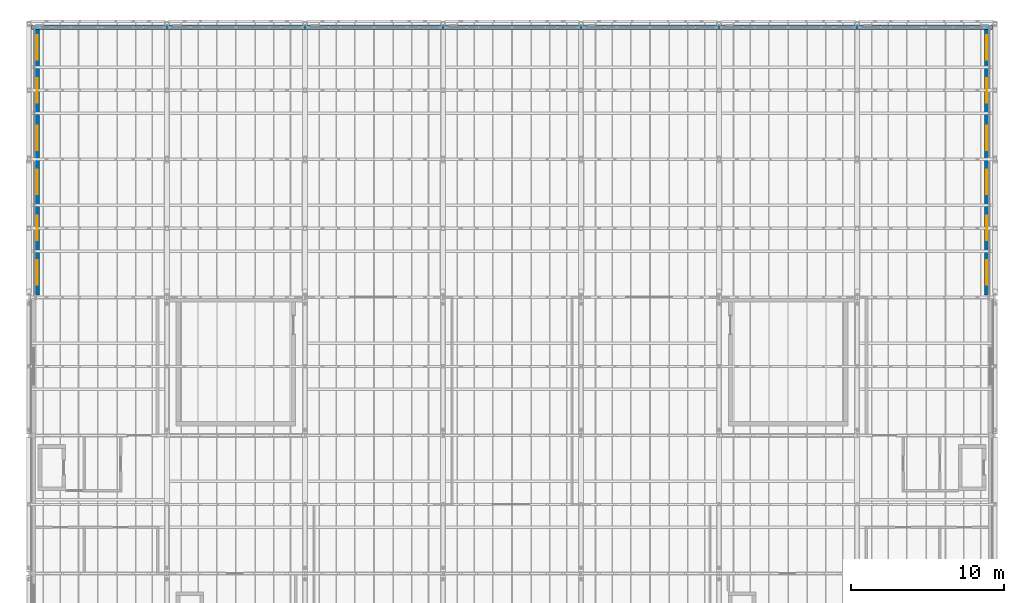
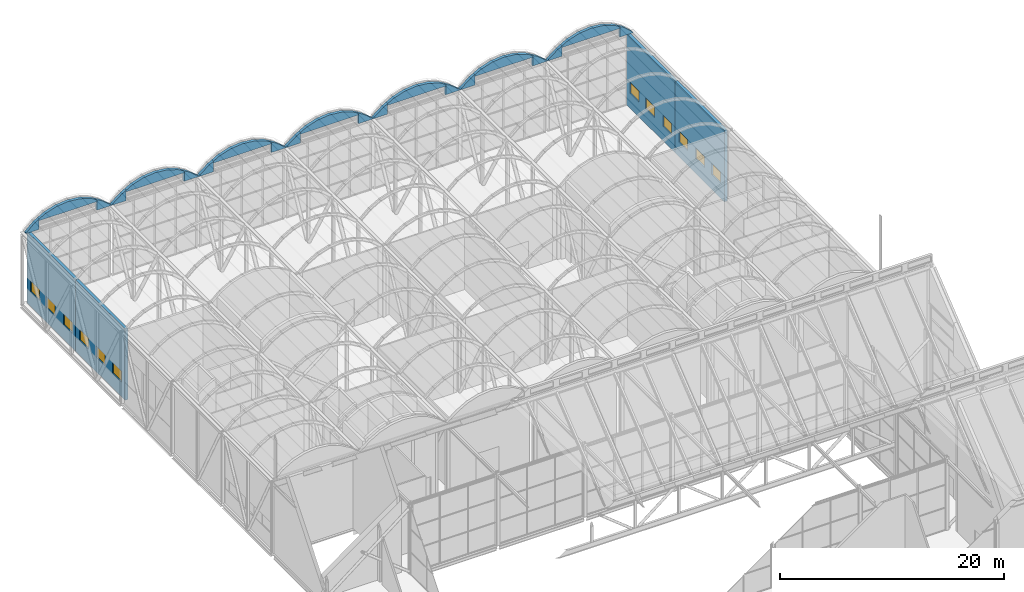
# One storey, part 132 of 144: 19 walls, 12 windows, 12 openings.
"""IFC4 building model written with IfcOpenShell, lengths in metres."""

from ifc_helpers import new_model, si_unit, direction, frame, frame_2d, origin, place, context, subcontext, project, spatial, polyline, rectangle, outline, extrude, material, layer, layer_set, type_object, element, fill, save


model = new_model("IFC4")

# Units and contexts
model_context = context("Model", 3, precision=1e-05, world=origin(), true_north=direction((0.0, 1.0)))
body_context = subcontext(model_context, "Body", "Model", "MODEL_VIEW")
ifc_project = project(units=[si_unit("LENGTHUNIT", "METRE"), si_unit("AREAUNIT", "SQUARE_METRE"), si_unit("VOLUMEUNIT", "CUBIC_METRE"), si_unit("PLANEANGLEUNIT", "RADIAN"), si_unit("MASSUNIT", "GRAM", prefix="KILO")], contexts=[model_context])

# Site, building, storey
site_placement = place(None, origin())
site = spatial("IfcSite", under=ifc_project, at=site_placement, CompositionType="ELEMENT")
building_placement = place(site_placement, origin())
building = spatial("IfcBuilding", under=site, at=building_placement, Name="Shorebreak Coast Museum", CompositionType="ELEMENT")
storey_placement = place(building_placement, frame((0.0, 0.0, 36.0)))
storey = spatial("IfcBuildingStorey", under=building, at=storey_placement, Name="L06", CompositionType="ELEMENT", Elevation=36.0)

# Wall, openings, windows
ifc_material_1 = material(Name="Concrete N50 (50 MPa)", Category="concrete")
ifc_layer_1 = layer(ifc_material_1, 0.300048828125)
ifc_layer_set_1 = layer_set([ifc_layer_1], Name="Concrete N50 (50 MPa)")
wall_type_1 = type_object("IfcWallType", Name="Barrel upper panel 300", PredefinedType="SOLIDWALL", material=ifc_layer_set_1)
wall_1_placement = place(storey_placement, frame((54.550048828125, 117.16357421875, 0.0), z_axis=(0.0, 0.0, 1.0), x_axis=(0.0, 1.0, 0.0)))
wall_1 = element("IfcWall", 1, at=wall_1_placement, inside=storey, type_object=wall_type_1, Name="Barrel side panel L06 W1", PredefinedType="SOLIDWALL", context=body_context, shape_type="SweptSolid", body=[
    extrude(rectangle(XDim=8.83642578125, YDim=0.300048828125, at=frame_2d((4.418212890625, 0.0))), origin(), (0.0, 0.0, 1.0), 7.800048828125),
])
opening_1_placement = place(wall_1_placement, frame((0.668212890625, 0.0, 1.60009765625)))
opening_1 = element("IfcOpeningElement", 2, at=opening_1_placement, cuts=wall_1, Name="Opening WN6007", PredefinedType="OPENING", context=body_context, shape_type="SweptSolid", body=[
    extrude(rectangle(XDim=1.60009765625, YDim=1.199951171875, at=frame_2d((0.800048828125, 0.60009765625))), frame((0.0, 0.159912109375, 0.0), z_axis=(0.0, -1.0, 0.0), x_axis=(1.0, 0.0, 0.0)), (0.0, 0.0, 1.0), 0.320068359375),
])
opening_2_placement = place(wall_1_placement, frame((3.572998046875, 0.0, 1.60009765625)))
opening_2 = element("IfcOpeningElement", 3, at=opening_2_placement, cuts=wall_1, Name="Opening WN6017", PredefinedType="OPENING", context=body_context, shape_type="SweptSolid", body=[
    extrude(rectangle(XDim=1.60009765625, YDim=1.199951171875, at=frame_2d((0.800048828125, 0.60009765625))), frame((0.0, 0.159912109375, 0.0), z_axis=(0.0, -1.0, 0.0), x_axis=(1.0, 0.0, 0.0)), (0.0, 0.0, 1.0), 0.320068359375),
])
opening_3_placement = place(wall_1_placement, frame((6.568115234375, 0.0, 1.60009765625)))
opening_3 = element("IfcOpeningElement", 4, at=opening_3_placement, cuts=wall_1, Name="Opening WN6018", PredefinedType="OPENING", context=body_context, shape_type="SweptSolid", body=[
    extrude(rectangle(XDim=1.60009765625, YDim=1.199951171875, at=frame_2d((0.800048828125, 0.60009765625))), frame((0.0, 0.159912109375, 0.0), z_axis=(0.0, -1.0, 0.0), x_axis=(1.0, 0.0, 0.0)), (0.0, 0.0, 1.0), 0.320068359375),
])
ifc_material_2 = material(Name="Aluminium", Category="aluminium")
window_type = type_object("IfcWindowType", Name="Truss-bay window 1600 x 1200", PartitioningType="SINGLE_PANEL", PredefinedType="WINDOW", material=ifc_material_2)
window_1_placement = place(opening_1_placement, origin())
window_1 = element("IfcWindow", 5, at=window_1_placement, inside=storey, type_object=window_type, Name="Window WN6007", OverallHeight=1.199951171875, OverallWidth=1.60009765625, PartitioningType="SINGLE_PANEL", PredefinedType="WINDOW", context=body_context, shape_type="SweptSolid", body=[
    extrude(rectangle(XDim=1.60009765625, YDim=1.199951171875, at=frame_2d((0.800048828125, 0.60009765625))), frame((0.0, 0.030029296875, 0.0), z_axis=(0.0, -1.0, 0.0), x_axis=(1.0, 0.0, 0.0)), (0.0, 0.0, 1.0), 0.06005859375),
])
fill(opening_1, window_1)
window_2_placement = place(opening_2_placement, origin())
window_2 = element("IfcWindow", 6, at=window_2_placement, inside=storey, type_object=window_type, Name="Window WN6017", OverallHeight=1.199951171875, OverallWidth=1.60009765625, PartitioningType="SINGLE_PANEL", PredefinedType="WINDOW", context=body_context, shape_type="SweptSolid", body=[
    extrude(rectangle(XDim=1.60009765625, YDim=1.199951171875, at=frame_2d((0.800048828125, 0.60009765625))), frame((0.0, 0.030029296875, 0.0), z_axis=(0.0, -1.0, 0.0), x_axis=(1.0, 0.0, 0.0)), (0.0, 0.0, 1.0), 0.06005859375),
])
fill(opening_2, window_2)
window_3_placement = place(opening_3_placement, origin())
window_3 = element("IfcWindow", 7, at=window_3_placement, inside=storey, type_object=window_type, Name="Window WN6018", OverallHeight=1.199951171875, OverallWidth=1.60009765625, PartitioningType="SINGLE_PANEL", PredefinedType="WINDOW", context=body_context, shape_type="SweptSolid", body=[
    extrude(rectangle(XDim=1.60009765625, YDim=1.199951171875, at=frame_2d((0.800048828125, 0.60009765625))), frame((0.0, 0.030029296875, 0.0), z_axis=(0.0, -1.0, 0.0), x_axis=(1.0, 0.0, 0.0)), (0.0, 0.0, 1.0), 0.06005859375),
])
fill(opening_3, window_3)

wall_2_placement = place(storey_placement, frame((54.550048828125, 126.0, 0.0), z_axis=(0.0, 0.0, 1.0), x_axis=(0.0, 1.0, 0.0)))
wall_2 = element("IfcWall", 8, at=wall_2_placement, inside=storey, type_object=wall_type_1, Name="Barrel side panel L06 W2", PredefinedType="SOLIDWALL", context=body_context, shape_type="SweptSolid", body=[
    extrude(rectangle(XDim=8.675048828125, YDim=0.300048828125, at=frame_2d((4.33740234375, 0.0))), origin(), (0.0, 0.0, 1.0), 7.800048828125),
])
opening_4_placement = place(wall_2_placement, frame((0.58740234375, 0.0, 1.60009765625)))
opening_4 = element("IfcOpeningElement", 9, at=opening_4_placement, cuts=wall_2, Name="Opening WN6008", PredefinedType="OPENING", context=body_context, shape_type="SweptSolid", body=[
    extrude(rectangle(XDim=1.60009765625, YDim=1.199951171875, at=frame_2d((0.800048828125, 0.60009765625))), frame((0.0, 0.159912109375, 0.0), z_axis=(0.0, -1.0, 0.0), x_axis=(1.0, 0.0, 0.0)), (0.0, 0.0, 1.0), 0.320068359375),
])
opening_5_placement = place(wall_2_placement, frame((3.685302734375, 0.0, 1.60009765625)))
opening_5 = element("IfcOpeningElement", 10, at=opening_5_placement, cuts=wall_2, Name="Opening WN6019", PredefinedType="OPENING", context=body_context, shape_type="SweptSolid", body=[
    extrude(rectangle(XDim=1.60009765625, YDim=1.199951171875, at=frame_2d((0.800048828125, 0.60009765625))), frame((0.0, 0.159912109375, 0.0), z_axis=(0.0, -1.0, 0.0), x_axis=(1.0, 0.0, 0.0)), (0.0, 0.0, 1.0), 0.320068359375),
])
opening_6_placement = place(wall_2_placement, frame((6.487548828125, 0.0, 1.60009765625)))
opening_6 = element("IfcOpeningElement", 11, at=opening_6_placement, cuts=wall_2, Name="Opening WN6020", PredefinedType="OPENING", context=body_context, shape_type="SweptSolid", body=[
    extrude(rectangle(XDim=1.60009765625, YDim=1.199951171875, at=frame_2d((0.800048828125, 0.60009765625))), frame((0.0, 0.159912109375, 0.0), z_axis=(0.0, -1.0, 0.0), x_axis=(1.0, 0.0, 0.0)), (0.0, 0.0, 1.0), 0.320068359375),
])
window_4_placement = place(opening_4_placement, origin())
window_4 = element("IfcWindow", 12, at=window_4_placement, inside=storey, type_object=window_type, Name="Window WN6008", OverallHeight=1.199951171875, OverallWidth=1.60009765625, PartitioningType="SINGLE_PANEL", PredefinedType="WINDOW", context=body_context, shape_type="SweptSolid", body=[
    extrude(rectangle(XDim=1.60009765625, YDim=1.199951171875, at=frame_2d((0.800048828125, 0.60009765625))), frame((0.0, 0.030029296875, 0.0), z_axis=(0.0, -1.0, 0.0), x_axis=(1.0, 0.0, 0.0)), (0.0, 0.0, 1.0), 0.06005859375),
])
fill(opening_4, window_4)
window_5_placement = place(opening_5_placement, origin())
window_5 = element("IfcWindow", 13, at=window_5_placement, inside=storey, type_object=window_type, Name="Window WN6019", OverallHeight=1.199951171875, OverallWidth=1.60009765625, PartitioningType="SINGLE_PANEL", PredefinedType="WINDOW", context=body_context, shape_type="SweptSolid", body=[
    extrude(rectangle(XDim=1.60009765625, YDim=1.199951171875, at=frame_2d((0.800048828125, 0.60009765625))), frame((0.0, 0.030029296875, 0.0), z_axis=(0.0, -1.0, 0.0), x_axis=(1.0, 0.0, 0.0)), (0.0, 0.0, 1.0), 0.06005859375),
])
fill(opening_5, window_5)
window_6_placement = place(opening_6_placement, origin())
window_6 = element("IfcWindow", 14, at=window_6_placement, inside=storey, type_object=window_type, Name="Window WN6020", OverallHeight=1.199951171875, OverallWidth=1.60009765625, PartitioningType="SINGLE_PANEL", PredefinedType="WINDOW", context=body_context, shape_type="SweptSolid", body=[
    extrude(rectangle(XDim=1.60009765625, YDim=1.199951171875, at=frame_2d((0.800048828125, 0.60009765625))), frame((0.0, 0.030029296875, 0.0), z_axis=(0.0, -1.0, 0.0), x_axis=(1.0, 0.0, 0.0)), (0.0, 0.0, 1.0), 0.06005859375),
])
fill(opening_6, window_6)

wall_3_placement = place(storey_placement, frame((116.449951171875, 117.16357421875, 0.0), z_axis=(0.0, 0.0, 1.0), x_axis=(0.0, 1.0, 0.0)))
wall_3 = element("IfcWall", 15, at=wall_3_placement, inside=storey, type_object=wall_type_1, Name="Barrel side panel L06 E1", PredefinedType="SOLIDWALL", context=body_context, shape_type="SweptSolid", body=[
    extrude(rectangle(XDim=8.83642578125, YDim=0.300048828125, at=frame_2d((4.418212890625, 0.0))), origin(), (0.0, 0.0, 1.0), 7.800048828125),
])
opening_7_placement = place(wall_3_placement, frame((0.668212890625, 0.0, 1.60009765625)))
opening_7 = element("IfcOpeningElement", 16, at=opening_7_placement, cuts=wall_3, Name="Opening WN6005", PredefinedType="OPENING", context=body_context, shape_type="SweptSolid", body=[
    extrude(rectangle(XDim=1.60009765625, YDim=1.199951171875, at=frame_2d((0.800048828125, 0.60009765625))), frame((0.0, 0.159912109375, 0.0), z_axis=(0.0, -1.0, 0.0), x_axis=(1.0, 0.0, 0.0)), (0.0, 0.0, 1.0), 0.320068359375),
])
opening_8_placement = place(wall_3_placement, frame((3.572998046875, 0.0, 1.60009765625)))
opening_8 = element("IfcOpeningElement", 17, at=opening_8_placement, cuts=wall_3, Name="Opening WN6013", PredefinedType="OPENING", context=body_context, shape_type="SweptSolid", body=[
    extrude(rectangle(XDim=1.60009765625, YDim=1.199951171875, at=frame_2d((0.800048828125, 0.60009765625))), frame((0.0, 0.159912109375, 0.0), z_axis=(0.0, -1.0, 0.0), x_axis=(1.0, 0.0, 0.0)), (0.0, 0.0, 1.0), 0.320068359375),
])
opening_9_placement = place(wall_3_placement, frame((6.568115234375, 0.0, 1.60009765625)))
opening_9 = element("IfcOpeningElement", 18, at=opening_9_placement, cuts=wall_3, Name="Opening WN6014", PredefinedType="OPENING", context=body_context, shape_type="SweptSolid", body=[
    extrude(rectangle(XDim=1.60009765625, YDim=1.199951171875, at=frame_2d((0.800048828125, 0.60009765625))), frame((0.0, 0.159912109375, 0.0), z_axis=(0.0, -1.0, 0.0), x_axis=(1.0, 0.0, 0.0)), (0.0, 0.0, 1.0), 0.320068359375),
])
window_7_placement = place(opening_7_placement, origin())
window_7 = element("IfcWindow", 19, at=window_7_placement, inside=storey, type_object=window_type, Name="Window WN6005", OverallHeight=1.199951171875, OverallWidth=1.60009765625, PartitioningType="SINGLE_PANEL", PredefinedType="WINDOW", context=body_context, shape_type="SweptSolid", body=[
    extrude(rectangle(XDim=1.60009765625, YDim=1.199951171875, at=frame_2d((0.800048828125, 0.60009765625))), frame((0.0, 0.030029296875, 0.0), z_axis=(0.0, -1.0, 0.0), x_axis=(1.0, 0.0, 0.0)), (0.0, 0.0, 1.0), 0.06005859375),
])
fill(opening_7, window_7)
window_8_placement = place(opening_8_placement, origin())
window_8 = element("IfcWindow", 20, at=window_8_placement, inside=storey, type_object=window_type, Name="Window WN6013", OverallHeight=1.199951171875, OverallWidth=1.60009765625, PartitioningType="SINGLE_PANEL", PredefinedType="WINDOW", context=body_context, shape_type="SweptSolid", body=[
    extrude(rectangle(XDim=1.60009765625, YDim=1.199951171875, at=frame_2d((0.800048828125, 0.60009765625))), frame((0.0, 0.030029296875, 0.0), z_axis=(0.0, -1.0, 0.0), x_axis=(1.0, 0.0, 0.0)), (0.0, 0.0, 1.0), 0.06005859375),
])
fill(opening_8, window_8)
window_9_placement = place(opening_9_placement, origin())
window_9 = element("IfcWindow", 21, at=window_9_placement, inside=storey, type_object=window_type, Name="Window WN6014", OverallHeight=1.199951171875, OverallWidth=1.60009765625, PartitioningType="SINGLE_PANEL", PredefinedType="WINDOW", context=body_context, shape_type="SweptSolid", body=[
    extrude(rectangle(XDim=1.60009765625, YDim=1.199951171875, at=frame_2d((0.800048828125, 0.60009765625))), frame((0.0, 0.030029296875, 0.0), z_axis=(0.0, -1.0, 0.0), x_axis=(1.0, 0.0, 0.0)), (0.0, 0.0, 1.0), 0.06005859375),
])
fill(opening_9, window_9)

wall_4_placement = place(storey_placement, frame((116.449951171875, 126.0, 0.0), z_axis=(0.0, 0.0, 1.0), x_axis=(0.0, 1.0, 0.0)))
wall_4 = element("IfcWall", 22, at=wall_4_placement, inside=storey, type_object=wall_type_1, Name="Barrel side panel L06 E2", PredefinedType="SOLIDWALL", context=body_context, shape_type="SweptSolid", body=[
    extrude(rectangle(XDim=8.675048828125, YDim=0.300048828125, at=frame_2d((4.33740234375, 0.0))), origin(), (0.0, 0.0, 1.0), 7.800048828125),
])
opening_10_placement = place(wall_4_placement, frame((0.58740234375, 0.0, 1.60009765625)))
opening_10 = element("IfcOpeningElement", 23, at=opening_10_placement, cuts=wall_4, Name="Opening WN6006", PredefinedType="OPENING", context=body_context, shape_type="SweptSolid", body=[
    extrude(rectangle(XDim=1.60009765625, YDim=1.199951171875, at=frame_2d((0.800048828125, 0.60009765625))), frame((0.0, 0.159912109375, 0.0), z_axis=(0.0, -1.0, 0.0), x_axis=(1.0, 0.0, 0.0)), (0.0, 0.0, 1.0), 0.320068359375),
])
opening_11_placement = place(wall_4_placement, frame((3.685302734375, 0.0, 1.60009765625)))
opening_11 = element("IfcOpeningElement", 24, at=opening_11_placement, cuts=wall_4, Name="Opening WN6015", PredefinedType="OPENING", context=body_context, shape_type="SweptSolid", body=[
    extrude(rectangle(XDim=1.60009765625, YDim=1.199951171875, at=frame_2d((0.800048828125, 0.60009765625))), frame((0.0, 0.159912109375, 0.0), z_axis=(0.0, -1.0, 0.0), x_axis=(1.0, 0.0, 0.0)), (0.0, 0.0, 1.0), 0.320068359375),
])
opening_12_placement = place(wall_4_placement, frame((6.487548828125, 0.0, 1.60009765625)))
opening_12 = element("IfcOpeningElement", 25, at=opening_12_placement, cuts=wall_4, Name="Opening WN6016", PredefinedType="OPENING", context=body_context, shape_type="SweptSolid", body=[
    extrude(rectangle(XDim=1.60009765625, YDim=1.199951171875, at=frame_2d((0.800048828125, 0.60009765625))), frame((0.0, 0.159912109375, 0.0), z_axis=(0.0, -1.0, 0.0), x_axis=(1.0, 0.0, 0.0)), (0.0, 0.0, 1.0), 0.320068359375),
])
window_10_placement = place(opening_10_placement, origin())
window_10 = element("IfcWindow", 26, at=window_10_placement, inside=storey, type_object=window_type, Name="Window WN6006", OverallHeight=1.199951171875, OverallWidth=1.60009765625, PartitioningType="SINGLE_PANEL", PredefinedType="WINDOW", context=body_context, shape_type="SweptSolid", body=[
    extrude(rectangle(XDim=1.60009765625, YDim=1.199951171875, at=frame_2d((0.800048828125, 0.60009765625))), frame((0.0, 0.030029296875, 0.0), z_axis=(0.0, -1.0, 0.0), x_axis=(1.0, 0.0, 0.0)), (0.0, 0.0, 1.0), 0.06005859375),
])
fill(opening_10, window_10)
window_11_placement = place(opening_11_placement, origin())
window_11 = element("IfcWindow", 27, at=window_11_placement, inside=storey, type_object=window_type, Name="Window WN6015", OverallHeight=1.199951171875, OverallWidth=1.60009765625, PartitioningType="SINGLE_PANEL", PredefinedType="WINDOW", context=body_context, shape_type="SweptSolid", body=[
    extrude(rectangle(XDim=1.60009765625, YDim=1.199951171875, at=frame_2d((0.800048828125, 0.60009765625))), frame((0.0, 0.030029296875, 0.0), z_axis=(0.0, -1.0, 0.0), x_axis=(1.0, 0.0, 0.0)), (0.0, 0.0, 1.0), 0.06005859375),
])
fill(opening_11, window_11)
window_12_placement = place(opening_12_placement, origin())
window_12 = element("IfcWindow", 28, at=window_12_placement, inside=storey, type_object=window_type, Name="Window WN6016", OverallHeight=1.199951171875, OverallWidth=1.60009765625, PartitioningType="SINGLE_PANEL", PredefinedType="WINDOW", context=body_context, shape_type="SweptSolid", body=[
    extrude(rectangle(XDim=1.60009765625, YDim=1.199951171875, at=frame_2d((0.800048828125, 0.60009765625))), frame((0.0, 0.030029296875, 0.0), z_axis=(0.0, -1.0, 0.0), x_axis=(1.0, 0.0, 0.0)), (0.0, 0.0, 1.0), 0.06005859375),
])
fill(opening_12, window_12)

# Walls
ifc_material_3 = material(Name="Concrete N50 (50 MPa)", Category="concrete")
ifc_layer_2 = layer(ifc_material_3, 0.300048828125)
ifc_layer_set_2 = layer_set([ifc_layer_2], Name="Concrete N50 (50 MPa)")
wall_type_2 = type_object("IfcWallType", Name="Vault end panel 300", PredefinedType="SOLIDWALL", material=ifc_layer_set_2)
wall_5_placement = place(storey_placement, frame((54.161865234375, 134.60009765625, 7.800048828125), z_axis=(0.0, 0.0, 1.0), x_axis=(1.0, 0.0, 0.0)))
element("IfcWall", 29, at=wall_5_placement, inside=storey, type_object=wall_type_2, Name="Vault end wall north V1 a", PredefinedType="SOLIDWALL", context=body_context, shape_type="SweptSolid", body=[
    extrude(outline(polyline([(0.0, 0.0), (1.338134765625, 0.0), (1.338134765625, 1.13671875), (0.8974609375, 0.8828125), (0.0, 0.07666015625), (0.0, 0.0)])), frame((0.0, 0.14990234375, 0.0), z_axis=(0.0, -1.0, 0.0), x_axis=(1.0, 0.0, 0.0)), (0.0, 0.0, 1.0), 0.300048828125),
])
for number, where, z_axis, x_axis, name in (
    (30, (61.5, 134.60009765625, 7.800048828125), (0.0, 0.0, 1.0), (1.0, 0.0, 0.0), "Vault end wall north V1 to V2"),
    (31, (70.5, 134.60009765625, 7.800048828125), (0.0, 0.0, 1.0), (1.0, 0.0, 0.0), "Vault end wall north V2 to V3"),
    (32, (79.5, 134.60009765625, 7.800048828125), (0.0, 0.0, 1.0), (1.0, 0.0, 0.0), "Vault end wall north V3 to V4"),
    (33, (88.5, 134.60009765625, 7.800048828125), (0.0, 0.0, 1.0), (1.0, 0.0, 0.0), "Vault end wall north V4 to V5"),
    (34, (97.5, 134.60009765625, 7.800048828125), (0.0, 0.0, 1.0), (1.0, 0.0, 0.0), "Vault end wall north V5 to V6"),
    (35, (106.5, 134.60009765625, 7.800048828125), (0.0, 0.0, 1.0), (1.0, 0.0, 0.0), "Vault end wall north V6 to V7"),
):
    element("IfcWall", number, at=place(storey_placement, frame(where, z_axis=z_axis, x_axis=x_axis)), inside=storey, type_object=wall_type_2, Name=name, PredefinedType="SOLIDWALL", context=body_context, shape_type="SweptSolid", body=[
        extrude(outline(polyline([(0.0, 0.0), (3.0, 0.0), (3.0, 1.13671875), (2.559326171875, 0.8828125), (1.5, 0.050048828125), (0.440673828125, 0.8828125), (0.0, 1.13671875), (0.0, 0.0)])), frame((0.0, 0.14990234375, 0.0), z_axis=(0.0, -1.0, 0.0), x_axis=(1.0, 0.0, 0.0)), (0.0, 0.0, 1.0), 0.300048828125),
    ])
wall_6_placement = place(storey_placement, frame((115.5, 134.60009765625, 7.800048828125), z_axis=(0.0, 0.0, 1.0), x_axis=(1.0, 0.0, 0.0)))
element("IfcWall", 36, at=wall_6_placement, inside=storey, type_object=wall_type_2, Name="Vault end wall north V7 c", PredefinedType="SOLIDWALL", context=body_context, shape_type="SweptSolid", body=[
    extrude(outline(polyline([(0.0, 0.0), (1.337890625, 0.0), (1.337890625, 0.07666015625), (0.440673828125, 0.8828125), (0.0, 1.13671875), (0.0, 0.0)])), frame((0.0, 0.14990234375, 0.0), z_axis=(0.0, -1.0, 0.0), x_axis=(1.0, 0.0, 0.0)), (0.0, 0.0, 1.0), 0.300048828125),
])
for number, where, z_axis, x_axis, name in (
    (37, (55.5, 134.60009765625, 8.75), (0.0, 0.0, 1.0), (1.0, 0.0, 0.0), "Vault end wall north V1 b"),
    (38, (64.5, 134.60009765625, 8.75), (0.0, 0.0, 1.0), (1.0, 0.0, 0.0), "Vault end wall north V2 b"),
    (39, (73.5, 134.60009765625, 8.75), (0.0, 0.0, 1.0), (1.0, 0.0, 0.0), "Vault end wall north V3 b"),
    (40, (82.5, 134.60009765625, 8.75), (0.0, 0.0, 1.0), (1.0, 0.0, 0.0), "Vault end wall north V4 b"),
    (41, (91.5, 134.60009765625, 8.75), (0.0, 0.0, 1.0), (1.0, 0.0, 0.0), "Vault end wall north V5 b"),
    (42, (100.5, 134.60009765625, 8.75), (0.0, 0.0, 1.0), (1.0, 0.0, 0.0), "Vault end wall north V6 b"),
    (43, (109.5, 134.60009765625, 8.75), (0.0, 0.0, 1.0), (1.0, 0.0, 0.0), "Vault end wall north V7 b"),
):
    element("IfcWall", number, at=place(storey_placement, frame(where, z_axis=z_axis, x_axis=x_axis)), inside=storey, type_object=wall_type_2, Name=name, PredefinedType="SOLIDWALL", context=body_context, shape_type="SweptSolid", body=[
        extrude(outline(polyline([(0.0, 0.0), (6.0, 0.0), (6.0, 0.186767578125), (5.380615234375, 0.543701171875), (4.216796875, 0.921142578125), (3.0, 1.048828125), (1.783203125, 0.921142578125), (0.619384765625, 0.543701171875), (0.0, 0.186767578125), (0.0, 0.0)])), frame((0.0, 0.14990234375, 0.0), z_axis=(0.0, -1.0, 0.0), x_axis=(1.0, 0.0, 0.0)), (0.0, 0.0, 1.0), 0.300048828125),
    ])

save(model, "model.ifc")
